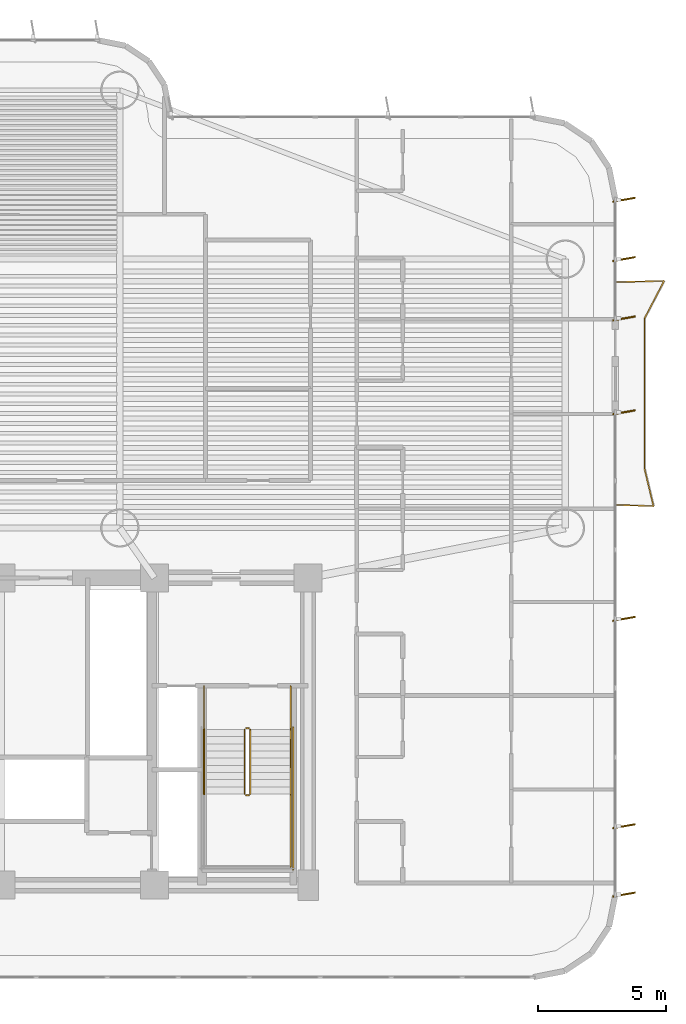
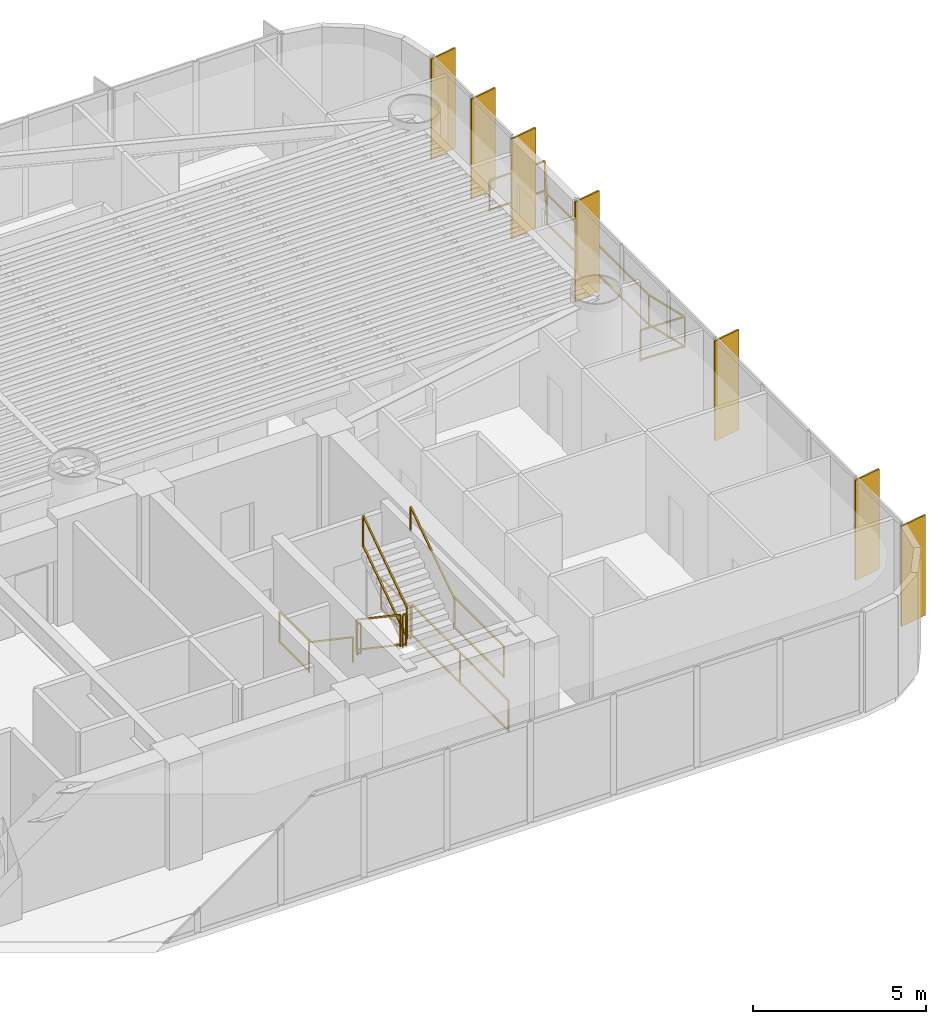
# One storey, part 18 of 19: 11 railings, 7 shading devices.
"""IFC4 building model written with IfcOpenShell, lengths in metres."""

import ifcopenshell
import ifcopenshell.guid

model = None  # the IFC model being written
_history = None  # IfcOwnerHistory: only IFC2X3 demands one
_inside = {}  # id of a spatial element -> (the spatial element, [elements in it])
_under = {}  # id of a project, library or spatial element -> (it, [spatial elements below it])
_declared = {}  # id of a project -> (the project, [libraries it declares])
_typed = {}  # id of a type object -> (the type object, [elements of that type])
_made_of = {}  # id of a material, layer set ... -> (it, [elements and type objects made of it])


def new_model(schema):
    """Start an empty IFC model of exactly this schema.

    Asked for "IFC4X3", IfcOpenShell would pick the latest addendum, in which some entities
    have other attributes; the version numbers below select the first issue.
    IFC2X3 requires an IfcOwnerHistory on every rooted entity: one is made here for all.
    """
    global model, _history
    if schema == "IFC4X3":
        model = ifcopenshell.file(schema_version=(4, 3, 0, 0))
    else:
        model = ifcopenshell.file(schema=schema)
    _inside.clear()
    _under.clear()
    _declared.clear()
    _typed.clear()
    _made_of.clear()
    _history = None
    if model.schema == "IFC2X3":
        org = make("IfcOrganization", Name="unknown")
        user = make(
            "IfcPersonAndOrganization",
            ThePerson=make("IfcPerson", FamilyName="unknown"),
            TheOrganization=org,
        )
        app = make(
            "IfcApplication",
            ApplicationDeveloper=org,
            Version="unknown",
            ApplicationFullName="unknown",
            ApplicationIdentifier="unknown",
        )
        _history = make(
            "IfcOwnerHistory",
            OwningUser=user,
            OwningApplication=app,
            ChangeAction="ADDED",
            CreationDate=0,
        )
    return model


def make(cls, **values):
    """One entity of the class cls with the attributes given. An attribute that is None is left unset."""
    return model.create_entity(
        cls, **{name: value for name, value in values.items() if value is not None}
    )


def rooted(cls, **values):
    """An entity with a GlobalId (a new one), such as an element, a storey or a relation."""
    return make(cls, GlobalId=ifcopenshell.guid.new(), OwnerHistory=_history, **values)


def si_unit(unit_type, name, prefix=None):
    """IfcSIUnit, for example si_unit("LENGTHUNIT", "METRE", prefix="MILLI")."""
    return make("IfcSIUnit", UnitType=unit_type, Prefix=prefix, Name=name)


def assignment(units):
    """IfcUnitAssignment: the units of a project."""
    return None if units is None else make("IfcUnitAssignment", Units=units)


def point(xyz):
    """IfcCartesianPoint."""
    return None if xyz is None else make("IfcCartesianPoint", Coordinates=xyz)


def direction(xyz):
    """IfcDirection."""
    return None if xyz is None else make("IfcDirection", DirectionRatios=xyz)


def frame(location, z_axis=None, x_axis=None):
    """IfcAxis2Placement3D, a coordinate frame: its origin and axes. An axis left out is left unset."""
    return make(
        "IfcAxis2Placement3D",
        Location=point(location),
        Axis=direction(z_axis),
        RefDirection=direction(x_axis),
    )


def frame_2d(location, x_axis=None):
    """IfcAxis2Placement2D, a coordinate frame in the plane: its origin and x axis."""
    return make(
        "IfcAxis2Placement2D", Location=point(location), RefDirection=direction(x_axis)
    )


def origin():
    """The frame at (0, 0, 0) with its axes left unset."""
    return frame((0.0, 0.0, 0.0))


def origin_2d():
    """The frame at (0, 0) in the plane with its x axis left unset."""
    return frame_2d((0.0, 0.0))


def place(relative_to, where):
    """IfcLocalPlacement: puts the frame where relative to a parent placement (None: the world)."""
    return make(
        "IfcLocalPlacement", PlacementRelTo=relative_to, RelativePlacement=where
    )


def context(
    kind, dimensions, precision=None, world=None, true_north=None, identifier=None
):
    """IfcGeometricRepresentationContext, for example the 3D "Model" context."""
    return make(
        "IfcGeometricRepresentationContext",
        ContextIdentifier=identifier,
        ContextType=kind,
        CoordinateSpaceDimension=dimensions,
        Precision=precision,
        WorldCoordinateSystem=world,
        TrueNorth=true_north,
    )


def subcontext(parent, identifier, kind, view, scale=None):
    """IfcGeometricRepresentationSubContext, for example "Body" below "Model"."""
    return make(
        "IfcGeometricRepresentationSubContext",
        ContextIdentifier=identifier,
        ContextType=kind,
        ParentContext=parent,
        TargetScale=scale,
        TargetView=view,
    )


def project(units=None, contexts=None):
    """IfcProject with its units and contexts."""
    return rooted(
        "IfcProject",
        Name="project",
        RepresentationContexts=contexts,
        UnitsInContext=assignment(units),
    )


def spatial(cls, under=None, at=None, **own):
    """A site, building, storey or space (cls), placed at a placement, below another one or the project."""
    s = rooted(cls, ObjectPlacement=at, **own)
    if under is not None:
        _under.setdefault(under.id(), (under, []))[1].append(s)
    return s


def profile(cls, at=None, kind="AREA", **sizes):
    """A parametric profile (cls). Its sizes go by their IFC names, for example OverallWidth=200.0."""
    return make(cls, ProfileType=kind, Position=at, **sizes)


def rectangle(**sizes):
    """IfcRectangleProfileDef."""
    return profile("IfcRectangleProfileDef", **sizes)


def extrude(swept, where, along, depth):
    """IfcExtrudedAreaSolid: the profile swept, set in the frame where, extruded along a direction by depth."""
    return make(
        "IfcExtrudedAreaSolid",
        SweptArea=swept,
        Position=where,
        ExtrudedDirection=direction(along),
        Depth=depth,
    )


def shape(context_of_items, identifier, shape_type, items):
    """IfcShapeRepresentation: the items that make up one representation, for example the "Body"."""
    return make(
        "IfcShapeRepresentation",
        ContextOfItems=context_of_items,
        RepresentationIdentifier=identifier,
        RepresentationType=shape_type,
        Items=items,
    )


def source(mapping_origin, context_of_items, identifier, shape_type, items):
    """IfcRepresentationMap: a shape defined once, which mapped items show again and again."""
    return make(
        "IfcRepresentationMap",
        MappingOrigin=mapping_origin,
        MappedRepresentation=shape(context_of_items, identifier, shape_type, items),
    )


def transform(
    local_origin,
    x_axis=None,
    y_axis=None,
    z_axis=None,
    scale=None,
    scale2=None,
    scale3=None,
    uniform=True,
):
    """IfcCartesianTransformationOperator3D, or its non-uniform kind. x_axis, y_axis, z_axis: its Axis1, 2, 3."""
    if uniform:
        return make(
            "IfcCartesianTransformationOperator3D",
            Axis1=direction(x_axis),
            Axis2=direction(y_axis),
            LocalOrigin=point(local_origin),
            Scale=scale,
            Axis3=direction(z_axis),
        )
    return make(
        "IfcCartesianTransformationOperator3DnonUniform",
        Axis1=direction(x_axis),
        Axis2=direction(y_axis),
        LocalOrigin=point(local_origin),
        Scale=scale,
        Axis3=direction(z_axis),
        Scale2=scale2,
        Scale3=scale3,
    )


def mapped(mapping_source, mapping_target):
    """IfcMappedItem: shows the shape of a source again, moved by a transform."""
    return make(
        "IfcMappedItem", MappingSource=mapping_source, MappingTarget=mapping_target
    )


def material(Name=None, Category=None):
    """IfcMaterial."""
    return make("IfcMaterial", Name=Name, Category=Category)


def layer(
    of_material, thickness, ventilated=None, Name=None, Category=None, Priority=None
):
    """IfcMaterialLayer: one layer of a wall or slab, of a material (None: an air gap)."""
    return make(
        "IfcMaterialLayer",
        Material=of_material,
        LayerThickness=thickness,
        IsVentilated=ventilated,
        Name=Name,
        Category=Category,
        Priority=Priority,
    )


def layer_set(layers, Name=None):
    """IfcMaterialLayerSet."""
    return make("IfcMaterialLayerSet", MaterialLayers=layers, LayerSetName=Name)


def material_profile(
    of_material, cross_section, Name=None, Category=None, Priority=None
):
    """IfcMaterialProfile: a cross section and its material."""
    return make(
        "IfcMaterialProfile",
        Name=Name,
        Material=of_material,
        Profile=cross_section,
        Priority=Priority,
        Category=Category,
    )


def profile_set(profiles, Name=None, composite=None):
    """IfcMaterialProfileSet."""
    return make(
        "IfcMaterialProfileSet",
        Name=Name,
        MaterialProfiles=profiles,
        CompositeProfile=composite,
    )


def made_of(thing, what):
    """Note that an element or type object is made of a material, layer set ...; save() writes the relation."""
    if what is not None:
        _made_of.setdefault(what.id(), (what, []))[1].append(thing)
    return thing


def type_object(cls, material=None, **own):
    """A type object (cls), such as IfcWallType, which elements share."""
    return made_of(rooted(cls, **own), material)


def element(
    cls,
    number,
    at=None,
    inside=None,
    cuts=None,
    type_object=None,
    material=None,
    context=None,
    identifier="Body",
    shape_type=None,
    held_by="IfcProductDefinitionShape",
    body=None,
    shapes=None,
    **own,
):
    """One element of the class cls, such as IfcWall. Its Tag is "e" and its number.

    at: its placement. inside: the storey or other place that contains it. cuts: it is an
    opening in that element (IfcRelVoidsElement). A single representation is given by context,
    identifier, shape_type and body (its items); several are given by shapes. held_by: the class
    of the entity that holds the representations. save() writes the other relations.
    """
    e = rooted(cls, Tag="e%d" % number, ObjectPlacement=at, **own)
    if body is not None:
        shapes = [shape(context, identifier, shape_type, body)]
    if shapes is not None:
        e.Representation = make(held_by, Representations=shapes)
    if inside is not None:
        _inside.setdefault(inside.id(), (inside, []))[1].append(e)
    if cuts is not None:
        rooted(
            "IfcRelVoidsElement", RelatingBuildingElement=cuts, RelatedOpeningElement=e
        )
    if type_object is not None:
        _typed.setdefault(type_object.id(), (type_object, []))[1].append(e)
    return made_of(e, material)


def aggregate(whole, parts):
    """IfcRelAggregates: a whole, such as a stair, and the parts it consists of."""
    return rooted("IfcRelAggregates", RelatingObject=whole, RelatedObjects=parts)


def save(model, path):
    """Write the relations noted so far, then the file.

    IfcRelAggregates (storeys below a building ...), IfcRelContainedInSpatialStructure (elements
    in a storey), IfcRelDefinesByType, IfcRelAssociatesMaterial and IfcRelDeclares: one each for
    every whole, place, type object, material and project.
    """
    for whole, parts in _under.values():
        aggregate(whole, parts)
    for where, things in _inside.values():
        rooted(
            "IfcRelContainedInSpatialStructure",
            RelatedElements=things,
            RelatingStructure=where,
        )
    for kind, things in _typed.values():
        rooted("IfcRelDefinesByType", RelatedObjects=things, RelatingType=kind)
    for what, things in _made_of.values():
        rooted("IfcRelAssociatesMaterial", RelatedObjects=things, RelatingMaterial=what)
    for by, libraries in _declared.values():
        rooted("IfcRelDeclares", RelatingContext=by, RelatedDefinitions=libraries)
    model.write(path)


model = new_model("IFC4")

# Units and contexts
model_context = context("Model", 3, precision=1e-05, world=origin(), true_north=direction((0.0, 1.0)))
body_context = subcontext(model_context, "Body", "Model", "MODEL_VIEW")
ifc_project = project(units=[si_unit("LENGTHUNIT", "METRE"), si_unit("AREAUNIT", "SQUARE_METRE"), si_unit("VOLUMEUNIT", "CUBIC_METRE"), si_unit("PLANEANGLEUNIT", "RADIAN"), si_unit("MASSUNIT", "GRAM", prefix="KILO")], contexts=[model_context])

# Site, building, storey
site_placement = place(None, origin())
site = spatial("IfcSite", under=ifc_project, at=site_placement, CompositionType="ELEMENT")
building_placement = place(site_placement, origin())
building = spatial("IfcBuilding", under=site, at=building_placement, Name="Brelvock Crest Care Tower", CompositionType="ELEMENT")
storey_placement = place(building_placement, frame((0.0, 0.0, 34.56005859375)))
storey = spatial("IfcBuildingStorey", under=building, at=storey_placement, Name="L08", CompositionType="ELEMENT", Elevation=34.56005859375)

# Railings
ifc_material_1 = material(Name="Dark Glass Double Glazed Low-E", Category="glass")
ifc_layer_1 = layer(ifc_material_1, 0.06005859375, Name="RL-BAL1")
ifc_layer_set_1 = layer_set([ifc_layer_1], Name="Dark Glass Double Glazed Low-E")
railing_type_1 = type_object("IfcRailingType", Name="RL-BAL1", PredefinedType="BALUSTRADE", material=ifc_layer_set_1)
railing_1_placement = place(storey_placement, frame((60.0400390625, 20.85009765625, 0.00390625)))
element("IfcRailing", 1, at=railing_1_placement, inside=storey, type_object=railing_type_1, Name="L08 Safety Balustrade WB-E", PredefinedType="BALUSTRADE", context=body_context, shape_type="SweptSolid", body=[
    extrude(rectangle(XDim=0.048095703125, YDim=0.048095703125, at=origin_2d()), frame((0.001953125, 0.0, 1.09619140625), z_axis=(0.999404799616, -0.034497050669, 0.0), x_axis=(0.034497050669, 0.999404799616, 0.0)), (0.0, 0.0, 1.0), 1.44677734375),
    extrude(rectangle(XDim=0.048095703125, YDim=0.048095703125, at=origin_2d()), frame((0.001953125, 0.0, 0.054931640625), z_axis=(0.999404799616, -0.034497050669, 0.0), x_axis=(0.034497050669, 0.999404799616, 0.0)), (0.0, 0.0, 1.0), 1.44677734375),
    extrude(rectangle(XDim=0.048095703125, YDim=0.048095703125, at=origin_2d()), frame((1.449462890625, -0.048095703125, 1.09619140625), z_axis=(-0.232196944837, 0.972668791937, 0.0), x_axis=(-0.972668791937, -0.232196944837, 0.0)), (0.0, 0.0, 1.0), 1.503662109375),
    extrude(rectangle(XDim=0.048095703125, YDim=0.048095703125, at=origin_2d()), frame((1.449462890625, -0.048095703125, 0.054931640625), z_axis=(-0.232196944837, 0.972668791937, 0.0), x_axis=(-0.972668791937, -0.232196944837, 0.0)), (0.0, 0.0, 1.0), 1.503662109375),
    extrude(rectangle(XDim=0.048095703125, YDim=0.048095703125, at=origin_2d()), frame((1.099853515625, 1.41845703125, 1.09619140625), z_axis=(0.000124843944, 0.999999992207, 0.0), x_axis=(-0.999999992207, 0.000124843944, 0.0)), (0.0, 0.0, 1.0), 5.86279296875),
    extrude(rectangle(XDim=0.048095703125, YDim=0.048095703125, at=origin_2d()), frame((1.099853515625, 1.41845703125, 0.054931640625), z_axis=(0.000124843944, 0.999999992207, 0.0), x_axis=(-0.999999992207, 0.000124843944, 0.0)), (0.0, 0.0, 1.0), 5.86279296875),
    extrude(rectangle(XDim=0.048095703125, YDim=0.048095703125, at=origin_2d()), frame((1.1015625, 7.284912109375, 1.09619140625), z_axis=(0.463191013929, 0.88625847506, 0.0), x_axis=(-0.88625847506, 0.463191013929, 0.0)), (0.0, 0.0, 1.0), 1.651123046875),
    extrude(rectangle(XDim=0.048095703125, YDim=0.048095703125, at=origin_2d()), frame((1.1015625, 7.284912109375, 0.054931640625), z_axis=(0.463191013929, 0.88625847506, 0.0), x_axis=(-0.88625847506, 0.463191013929, 0.0)), (0.0, 0.0, 1.0), 1.651123046875),
    extrude(rectangle(XDim=0.048095703125, YDim=0.048095703125, at=origin_2d()), frame((1.865234375, 8.75, 1.09619140625), z_axis=(-0.999640955712, -0.026794769341, 0.0), x_axis=(0.026794769341, -0.999640955712, 0.0)), (0.0, 0.0, 1.0), 1.86376953125),
    extrude(rectangle(XDim=0.048095703125, YDim=0.048095703125, at=origin_2d()), frame((1.865234375, 8.75, 0.054931640625), z_axis=(-0.999640955712, -0.026794769341, 0.0), x_axis=(0.026794769341, -0.999640955712, 0.0)), (0.0, 0.0, 1.0), 1.86376953125),
    extrude(rectangle(XDim=0.0419921875, YDim=0.0419921875, at=origin_2d()), origin(), (0.0, 0.0, 1.0), 1.070068359375),
    extrude(rectangle(XDim=0.0419921875, YDim=0.0419921875, at=origin_2d()), frame((1.449951171875, -0.050048828125, 0.0)), (0.0, 0.0, 1.0), 1.070068359375),
    extrude(rectangle(XDim=0.0419921875, YDim=0.0419921875, at=origin_2d()), frame((1.099853515625, 1.41650390625, 0.0)), (0.0, 0.0, 1.0), 1.070068359375),
    extrude(rectangle(XDim=0.0419921875, YDim=0.0419921875, at=origin_2d()), frame((1.10009765625, 4.349853515625, 0.0)), (0.0, 0.0, 1.0), 1.070068359375),
    extrude(rectangle(XDim=0.0419921875, YDim=0.0419921875, at=origin_2d()), frame((1.1005859375, 7.283203125, 0.0)), (0.0, 0.0, 1.0), 1.070068359375),
    extrude(rectangle(XDim=0.0419921875, YDim=0.0419921875, at=origin_2d()), frame((1.8671875, 8.75, 0.0)), (0.0, 0.0, 1.0), 1.070068359375),
    extrude(rectangle(XDim=0.0419921875, YDim=0.0419921875, at=origin_2d()), frame((0.0, 8.699951171875, 0.0)), (0.0, 0.0, 1.0), 1.070068359375),
])
ifc_material_2 = material(Name="Steel Grade 350", Category="steel")
ifc_layer_2 = layer(ifc_material_2, 0.050048828125, Name="RL-STG1")
ifc_layer_set_2 = layer_set([ifc_layer_2], Name="Steel Grade 350")
railing_type_2 = type_object("IfcRailingType", Name="RL-STG1", PredefinedType="GUARDRAIL", material=ifc_layer_set_2)
railing_2_placement = place(storey_placement, frame((45.52001953125, 12.080078125, 0.18896484375)))
element("IfcRailing", 2, at=railing_2_placement, inside=storey, type_object=railing_type_2, Name="L08 ST-2 stair guard 1", PredefinedType="GUARDRAIL", context=body_context, shape_type="SweptSolid", body=[
    extrude(rectangle(XDim=0.048095703125, YDim=0.048095703125, at=origin_2d()), frame((0.0, -0.001708984375, 1.116943359375), z_axis=(0.0, -0.828861706735, 0.559453546873), x_axis=(1.0, 0.0, 0.0)), (0.0, 0.0, 1.0), 3.036376953125),
    extrude(rectangle(XDim=0.048095703125, YDim=0.048095703125, at=origin_2d()), frame((0.0, -0.001708984375, 0.05615234375), z_axis=(0.0, -0.828861706735, 0.559453546873), x_axis=(1.0, 0.0, 0.0)), (0.0, 0.0, 1.0), 3.036376953125),
    extrude(rectangle(XDim=0.0419921875, YDim=0.0419921875, at=origin_2d()), origin(), (0.0, 0.0, 1.0), 1.08984375),
    extrude(rectangle(XDim=0.0419921875, YDim=0.0419921875, at=origin_2d()), frame((0.0, -2.52001953125, 1.700927734375)), (0.0, 0.0, 1.0), 1.08984375),
])
railing_3_placement = place(storey_placement, frame((45.570068359375, 9.510009765625, 1.889892578125)))
element("IfcRailing", 3, at=railing_3_placement, inside=storey, type_object=railing_type_2, Name="L08 ST-2 stair guard 2", PredefinedType="GUARDRAIL", context=body_context, shape_type="SweptSolid", body=[
    extrude(rectangle(XDim=0.048095703125, YDim=0.048095703125, at=origin_2d()), frame((0.001953125, 0.0, 1.11572265625), z_axis=(1.0, 0.0, 0.0), x_axis=(0.0, 1.0, 0.0)), (0.0, 0.0, 1.0), 0.115966796875),
    extrude(rectangle(XDim=0.048095703125, YDim=0.048095703125, at=origin_2d()), frame((0.001953125, 0.0, 0.054931640625), z_axis=(1.0, 0.0, 0.0), x_axis=(0.0, 1.0, 0.0)), (0.0, 0.0, 1.0), 0.115966796875),
    extrude(rectangle(XDim=0.0419921875, YDim=0.0419921875, at=origin_2d()), origin(), (0.0, 0.0, 1.0), 1.08984375),
    extrude(rectangle(XDim=0.0419921875, YDim=0.0419921875, at=origin_2d()), frame((0.119873046875, 0.0, 0.0)), (0.0, 0.0, 1.0), 1.08984375),
])
railing_4_placement = place(storey_placement, frame((47.320068359375, 9.56005859375, 1.889892578125)))
element("IfcRailing", 4, at=railing_4_placement, inside=storey, type_object=railing_type_2, Name="L08 ST-2 stair guard 4", PredefinedType="GUARDRAIL", context=body_context, shape_type="SweptSolid", body=[
    extrude(rectangle(XDim=0.048095703125, YDim=0.048095703125, at=origin_2d()), frame((0.0, -0.001953125, 1.11572265625), z_axis=(0.0, -1.0, 0.0), x_axis=(1.0, 0.0, 0.0)), (0.0, 0.0, 1.0), 2.856201171875),
    extrude(rectangle(XDim=0.048095703125, YDim=0.048095703125, at=origin_2d()), frame((0.0, -0.001953125, 0.054931640625), z_axis=(0.0, -1.0, 0.0), x_axis=(1.0, 0.0, 0.0)), (0.0, 0.0, 1.0), 2.856201171875),
    extrude(rectangle(XDim=0.0419921875, YDim=0.0419921875, at=origin_2d()), origin(), (0.0, 0.0, 1.0), 1.08984375),
    extrude(rectangle(XDim=0.0419921875, YDim=0.0419921875, at=origin_2d()), frame((0.0, -2.860107421875, 0.0)), (0.0, 0.0, 1.0), 1.08984375),
])
railing_5_placement = place(storey_placement, frame((45.739990234375, 9.56005859375, 2.078857421875)))
element("IfcRailing", 5, at=railing_5_placement, inside=storey, type_object=railing_type_2, Name="L08 ST-2 stair guard 6", PredefinedType="GUARDRAIL", context=body_context, shape_type="SweptSolid", body=[
    extrude(rectangle(XDim=0.048095703125, YDim=0.048095703125, at=origin_2d()), frame((0.0, 0.001708984375, 1.116943359375), z_axis=(0.0, 0.82882447046, 0.559508710537), x_axis=(-1.0, 0.0, 0.0)), (0.0, 0.0, 1.0), 3.036376953125),
    extrude(rectangle(XDim=0.048095703125, YDim=0.048095703125, at=origin_2d()), frame((0.0, 0.001708984375, 0.05615234375), z_axis=(0.0, 0.82882447046, 0.559508710537), x_axis=(-1.0, 0.0, 0.0)), (0.0, 0.0, 1.0), 3.036376953125),
    extrude(rectangle(XDim=0.0419921875, YDim=0.0419921875, at=origin_2d()), origin(), (0.0, 0.0, 1.0), 1.08984375),
    extrude(rectangle(XDim=0.0419921875, YDim=0.0419921875, at=origin_2d()), frame((0.0, 2.52001953125, 1.701171875)), (0.0, 0.0, 1.0), 1.08984375),
])
railing_6_placement = place(storey_placement, frame((45.570068359375, 12.1298828125, 0.0)))
element("IfcRailing", 6, at=railing_6_placement, inside=storey, type_object=railing_type_2, Name="L08 ST-2 stair guard 7", PredefinedType="GUARDRAIL", context=body_context, shape_type="SweptSolid", body=[
    extrude(rectangle(XDim=0.048095703125, YDim=0.048095703125, at=origin_2d()), frame((0.001953125, 0.0, 1.11572265625), z_axis=(1.0, 0.0, 0.0), x_axis=(0.0, 1.0, 0.0)), (0.0, 0.0, 1.0), 0.115966796875),
    extrude(rectangle(XDim=0.048095703125, YDim=0.048095703125, at=origin_2d()), frame((0.001953125, 0.0, 0.054931640625), z_axis=(1.0, 0.0, 0.0), x_axis=(0.0, 1.0, 0.0)), (0.0, 0.0, 1.0), 0.115966796875),
    extrude(rectangle(XDim=0.0419921875, YDim=0.0419921875, at=origin_2d()), origin(), (0.0, 0.0, 1.0), 1.08984375),
    extrude(rectangle(XDim=0.0419921875, YDim=0.0419921875, at=origin_2d()), frame((0.119873046875, 0.0, 0.0)), (0.0, 0.0, 1.0), 1.08984375),
])
for number, where, name in (
    (7, (43.93994140625, 13.780029296875, 0.0), "L08 ST-2 stair guard 8"),
    (8, (47.320068359375, 13.780029296875, 0.0), "L08 ST-2 stair guard 9"),
):
    element("IfcRailing", number, at=place(storey_placement, frame(where)), inside=storey, type_object=railing_type_2, Name=name, PredefinedType="GUARDRAIL", context=body_context, shape_type="SweptSolid", body=[
        extrude(rectangle(XDim=0.048095703125, YDim=0.048095703125, at=origin_2d()), frame((0.0, -0.001953125, 1.11572265625), z_axis=(0.0, -1.0, 0.0), x_axis=(1.0, 0.0, 0.0)), (0.0, 0.0, 1.0), 1.696044921875),
        extrude(rectangle(XDim=0.048095703125, YDim=0.048095703125, at=origin_2d()), frame((0.0, -0.001953125, 0.054931640625), z_axis=(0.0, -1.0, 0.0), x_axis=(1.0, 0.0, 0.0)), (0.0, 0.0, 1.0), 1.696044921875),
        extrude(rectangle(XDim=0.0419921875, YDim=0.0419921875, at=origin_2d()), origin(), (0.0, 0.0, 1.0), 1.08984375),
        extrude(rectangle(XDim=0.0419921875, YDim=0.0419921875, at=origin_2d()), frame((0.0, -1.699951171875, 0.0)), (0.0, 0.0, 1.0), 1.08984375),
    ])
railing_7_placement = place(storey_placement, frame((47.419921875, 12.179931640625, 0.0)))
element("IfcRailing", 9, at=railing_7_placement, inside=storey, type_object=railing_type_2, Name="L08 ST-2 stair guard 11", PredefinedType="GUARDRAIL", context=body_context, shape_type="SweptSolid", body=[
    extrude(rectangle(XDim=0.048095703125, YDim=0.048095703125, at=origin_2d()), frame((0.0, -0.001953125, 1.11572265625), z_axis=(0.0, -1.0, 0.0), x_axis=(1.0, 0.0, 0.0)), (0.0, 0.0, 1.0), 5.575927734375),
    extrude(rectangle(XDim=0.048095703125, YDim=0.048095703125, at=origin_2d()), frame((0.0, -0.001953125, 0.054931640625), z_axis=(0.0, -1.0, 0.0), x_axis=(1.0, 0.0, 0.0)), (0.0, 0.0, 1.0), 5.575927734375),
    extrude(rectangle(XDim=0.0419921875, YDim=0.0419921875, at=origin_2d()), origin(), (0.0, 0.0, 1.0), 1.08984375),
    extrude(rectangle(XDim=0.0419921875, YDim=0.0419921875, at=origin_2d()), frame((0.0, -2.7900390625, 0.0)), (0.0, 0.0, 1.0), 1.08984375),
    extrude(rectangle(XDim=0.0419921875, YDim=0.0419921875, at=origin_2d()), frame((0.0, -5.579833984375, 0.0)), (0.0, 0.0, 1.0), 1.08984375),
])
ifc_layer_3 = layer(ifc_material_2, 0.048095703125, Name="RL-STH1")
ifc_layer_set_3 = layer_set([ifc_layer_3], Name="Steel Grade 350")
railing_type_3 = type_object("IfcRailingType", Name="RL-STH1", PredefinedType="HANDRAIL", material=ifc_layer_set_3)
railing_8_placement = place(storey_placement, frame((43.93994140625, 12.080078125, 0.18896484375)))
element("IfcRailing", 10, at=railing_8_placement, inside=storey, type_object=railing_type_3, Name="L08 ST-2 stair handrail 1", PredefinedType="HANDRAIL", context=body_context, shape_type="SweptSolid", body=[
    extrude(rectangle(XDim=0.048095703125, YDim=0.048095703125, at=origin_2d()), frame((0.0, -0.001708984375, 0.876953125), z_axis=(0.0, -0.828861706735, 0.559453546873), x_axis=(1.0, 0.0, 0.0)), (0.0, 0.0, 1.0), 3.036376953125),
    extrude(rectangle(XDim=0.0419921875, YDim=0.0419921875, at=origin_2d()), origin(), (0.0, 0.0, 1.0), 0.849853515625),
    extrude(rectangle(XDim=0.0419921875, YDim=0.0419921875, at=origin_2d()), frame((0.0, -2.52001953125, 1.700927734375)), (0.0, 0.0, 1.0), 0.849853515625),
])
railing_9_placement = place(storey_placement, frame((47.320068359375, 9.56005859375, 2.078857421875)))
element("IfcRailing", 11, at=railing_9_placement, inside=storey, type_object=railing_type_3, Name="L08 ST-2 stair handrail 2", PredefinedType="HANDRAIL", context=body_context, shape_type="SweptSolid", body=[
    extrude(rectangle(XDim=0.048095703125, YDim=0.048095703125, at=origin_2d()), frame((0.0, 0.001708984375, 0.876953125), z_axis=(0.0, 0.82882447046, 0.559508710537), x_axis=(-1.0, 0.0, 0.0)), (0.0, 0.0, 1.0), 3.036376953125),
    extrude(rectangle(XDim=0.0419921875, YDim=0.0419921875, at=origin_2d()), origin(), (0.0, 0.0, 1.0), 0.849853515625),
    extrude(rectangle(XDim=0.0419921875, YDim=0.0419921875, at=origin_2d()), frame((0.0, 2.52001953125, 1.701171875)), (0.0, 0.0, 1.0), 0.849853515625),
])

# Shading devices
ifc_material_3 = material(Name="Aluminium 6063-T6", Category="aluminium")
ifc_material_profile = material_profile(ifc_material_3, rectangle(XDim=0.054931640625, YDim=0.89990234375, at=origin_2d()), Name="FIN55x900")
ifc_profile_set = profile_set([ifc_material_profile], Name="Aluminium 6063-T6")
shading_device_type = type_object("IfcShadingDeviceType", Name="SHD-FIN1", PredefinedType="USERDEFINED", material=ifc_profile_set)
shared_shape = source(origin(), body_context, "Body", "SweptSolid", [
    extrude(rectangle(XDim=0.054931640625, YDim=0.89990234375, at=origin_2d()), origin(), (0.0, 0.0, 1.0), 3.530029296875),
])
for number, where, z_axis, x_axis, name in (
    (12, (60.340087890625, 32.767578125, 0.0), (0.0, 0.0, 1.0), (0.173648177667, -0.984807753012, 0.0), "L08 Vertical Sunshade Fin E03A-01"),
    (13, (60.340087890625, 30.449951171875, 0.0), (0.0, 0.0, 1.0), (0.173648177667, -0.984807753012, 0.0), "L08 Vertical Sunshade Fin E03A-02"),
    (14, (60.340087890625, 28.132568359375, 0.0), (0.0, 0.0, 1.0), (0.173648177667, -0.984807753012, 0.0), "L08 Vertical Sunshade Fin E03A-03"),
    (15, (60.340087890625, 24.467529296875, 0.0), (0.0, 0.0, 1.0), (0.173648177667, -0.984807753012, 0.0), "L08 Vertical Sunshade Fin E03B-01"),
    (16, (60.340087890625, 16.39990234375, 0.0), (0.0, 0.0, 1.0), (0.173648177667, -0.984807753012, 0.0), "L08 Vertical Sunshade Fin E03B-04"),
    (17, (60.340087890625, 8.300048828125, 0.0), (0.0, 0.0, 1.0), (0.173648177667, -0.984807753012, 0.0), "L08 Vertical Sunshade Fin E03B-07"),
    (18, (60.340087890625, 5.632568359375, 0.0), (0.0, 0.0, 1.0), (0.173648177667, -0.984807753012, 0.0), "L08 Vertical Sunshade Fin E03B-08"),
):
    element("IfcShadingDevice", number, at=place(storey_placement, frame(where, z_axis=z_axis, x_axis=x_axis)), inside=storey, type_object=shading_device_type, Name=name, ObjectType="FIN", PredefinedType="USERDEFINED", context=body_context, shape_type="MappedRepresentation", body=[
        mapped(shared_shape, transform((0.0, 0.0, 0.0), x_axis=(1.0, 0.0, 0.0), y_axis=(0.0, 1.0, 0.0), z_axis=(0.0, 0.0, 1.0), scale=1.0)),
    ])

save(model, "model.ifc")
